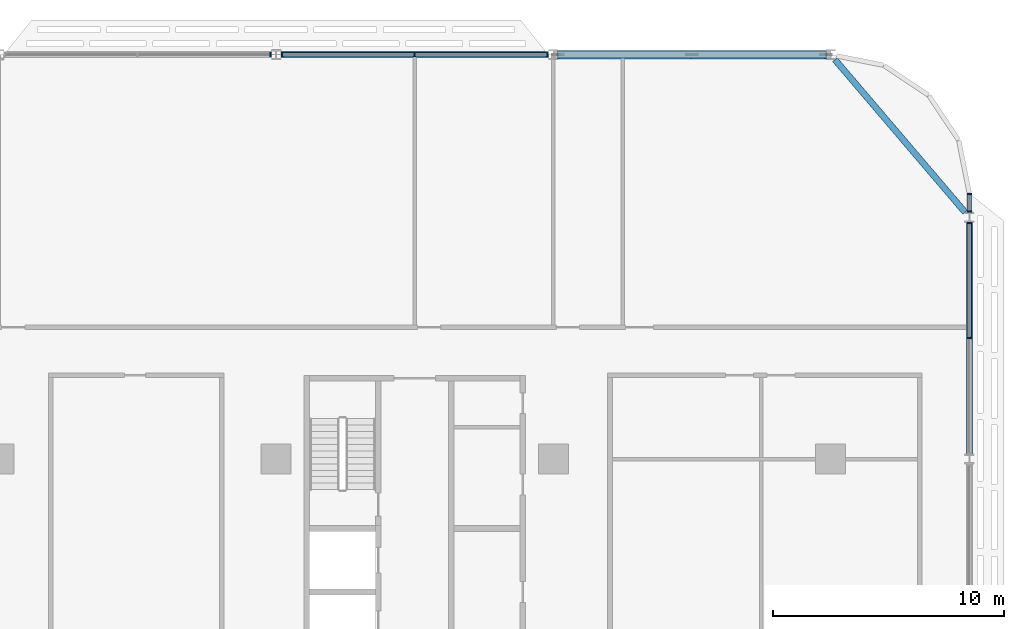
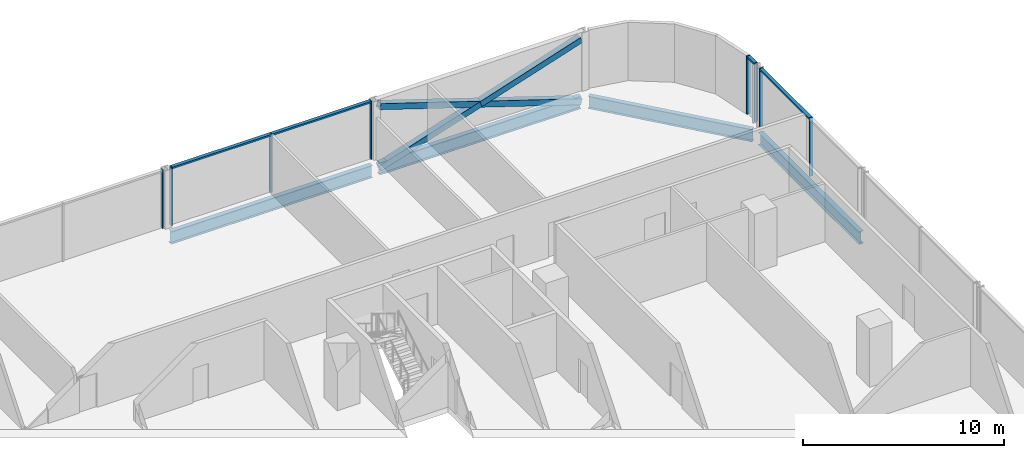
# One storey, part 10 of 29: 15 members, 4 beams, 4 elements without a shape of their own.
"""IFC4 building model written with IfcOpenShell, lengths in metres."""

from ifc_helpers import new_model, si_unit, direction, frame, origin, origin_2d, place, context, subcontext, project, spatial, rectangle, hollow_rectangle, i_section, extrude, material, material_profile, profile_set, type_object, element, aggregate, save


model = new_model("IFC4")

# Units and contexts
model_context = context("Model", 3, precision=1e-05, world=origin(), true_north=direction((0.0, 1.0)))
body_context = subcontext(model_context, "Body", "Model", "MODEL_VIEW")
ifc_project = project(units=[si_unit("LENGTHUNIT", "METRE"), si_unit("AREAUNIT", "SQUARE_METRE"), si_unit("VOLUMEUNIT", "CUBIC_METRE"), si_unit("PLANEANGLEUNIT", "RADIAN"), si_unit("MASSUNIT", "GRAM", prefix="KILO")], contexts=[model_context])

# Site, building, storey
site_placement = place(None, origin())
site = spatial("IfcSite", under=ifc_project, at=site_placement, CompositionType="ELEMENT")
building_placement = place(site_placement, origin())
building = spatial("IfcBuilding", under=site, at=building_placement, Name="Mahtab Terrace Research Tower", CompositionType="ELEMENT")
storey_placement = place(building_placement, frame((0.0, 0.0, 150.699951171875)))
storey = spatial("IfcBuildingStorey", under=building, at=storey_placement, Name="L35", CompositionType="ELEMENT", Elevation=150.699951171875)

# Members
ifc_material_1 = material(Name="Steel ASTM A500 Gr C", Category="steel")
ifc_material_profile_1 = material_profile(ifc_material_1, hollow_rectangle(XDim=0.355712890625, YDim=0.355712890625, WallThickness=0.01904296875, at=origin_2d()), Name="HSS14X14X3/4")
ifc_profile_set_1 = profile_set([ifc_material_profile_1], Name="Steel ASTM A500 Gr C")
member_type_1 = type_object("IfcMemberType", Name="HSS 14x14x3/4 brace XB141434", PredefinedType="BRACE", material=ifc_profile_set_1)
member_1_placement = place(storey_placement, frame((41.794189453125, 29.0, -0.651611328125), z_axis=(-0.951266203011, 0.0, 0.308370898448), x_axis=(0.0, -1.0, 0.0)))
element("IfcMember", 1, at=member_1_placement, inside=storey, type_object=member_type_1, Name="Exoskeleton brace L35 01 a", PredefinedType="BRACE", context=body_context, shape_type="SweptSolid", body=[
    extrude(hollow_rectangle(XDim=0.355712890625, YDim=0.355712890625, WallThickness=0.01904296875, at=origin_2d()), origin(), (0.0, 0.0, 1.0), 12.18212890625),
])
for number, where, z_axis, x_axis, name in (
    (2, (30.205810546875, 29.0, -0.651611328125), (0.951272081758, 0.0, 0.308352763029), (0.0, 1.0, 0.0), "Exoskeleton brace L35 01 b1"),
    (3, (36.0, 29.0, 1.2265625), (0.95126032399, 0.0, 0.308389033531), (0.0, 1.0, 0.0), "Exoskeleton brace L35 01 b2"),
):
    element("IfcMember", number, at=place(storey_placement, frame(where, z_axis=z_axis, x_axis=x_axis)), inside=storey, type_object=member_type_1, Name=name, PredefinedType="BRACE", context=body_context, shape_type="SweptSolid", body=[
        extrude(hollow_rectangle(XDim=0.355712890625, YDim=0.355712890625, WallThickness=0.01904296875, at=origin_2d()), origin(), (0.0, 0.0, 1.0), 6.091064453125),
    ])

# Curtain wall, members
ifc_material_2 = material(Name="Laboratory ribbon curtain wall")
curtain_wall_type = type_object("IfcCurtainWallType", Name="Laboratory ribbon curtain wall", PredefinedType="NOTDEFINED", material=ifc_material_2)
curtain_wall_1_placement = place(storey_placement, origin())
curtain_wall_1 = element("IfcCurtainWall", 4, at=curtain_wall_1_placement, inside=storey, type_object=curtain_wall_type, Name="EN.L35.3.4", PredefinedType="NOTDEFINED")
ifc_material_3 = material(Name="Natural anodised aluminium", Category="aluminium")
ifc_material_profile_2 = material_profile(ifc_material_3, rectangle(XDim=0.199951171875, YDim=0.06494140625, at=origin_2d()), Name="MULLION 65x200")
ifc_profile_set_2 = profile_set([ifc_material_profile_2], Name="Natural anodised aluminium")
member_type_2 = type_object("IfcMemberType", Name="Laboratory ribbon curtain wall mullion", PredefinedType="MULLION", material=ifc_profile_set_2)
member_2_placement = place(storey_placement, frame((29.74951171875, 29.0, 0.0), z_axis=(0.0, 0.0, 1.0), x_axis=(0.0, -1.0, 0.0)))
member_2 = element("IfcMember", 5, at=member_2_placement, type_object=member_type_2, Name="CWL-4 mullion 1", PredefinedType="MULLION", context=body_context, shape_type="SweptSolid", body=[
    extrude(rectangle(XDim=0.199951171875, YDim=0.06494140625, at=origin_2d()), origin(), (0.0, 0.0, 1.0), 3.550048828125),
])
member_3_placement = place(storey_placement, frame((24.0, 29.0, 0.0), z_axis=(0.0, 0.0, 1.0), x_axis=(0.0, -1.0, 0.0)))
member_3 = element("IfcMember", 6, at=member_3_placement, type_object=member_type_2, Name="CWL-4 mullion 2", PredefinedType="MULLION", context=body_context, shape_type="SweptSolid", body=[
    extrude(rectangle(XDim=0.199951171875, YDim=0.06494140625, at=origin_2d()), origin(), (0.0, 0.0, 1.0), 3.550048828125),
])
member_4_placement = place(storey_placement, frame((18.25048828125, 29.0, 0.0), z_axis=(0.0, 0.0, 1.0), x_axis=(0.0, -1.0, 0.0)))
member_4 = element("IfcMember", 7, at=member_4_placement, type_object=member_type_2, Name="CWL-4 mullion 3", PredefinedType="MULLION", context=body_context, shape_type="SweptSolid", body=[
    extrude(rectangle(XDim=0.199951171875, YDim=0.06494140625, at=origin_2d()), origin(), (0.0, 0.0, 1.0), 3.550048828125),
])

# Curtain wall, member
curtain_wall_2_placement = place(storey_placement, origin())
curtain_wall_2 = element("IfcCurtainWall", 8, at=curtain_wall_2_placement, inside=storey, type_object=curtain_wall_type, Name="EN.L35.3.5", PredefinedType="NOTDEFINED")
member_5_placement = place(storey_placement, frame((17.74951171875, 29.0, 0.0), z_axis=(0.0, 0.0, 1.0), x_axis=(0.0, -1.0, 0.0)))
member_5 = element("IfcMember", 9, at=member_5_placement, type_object=member_type_2, Name="CWL-4 mullion 1", PredefinedType="MULLION", context=body_context, shape_type="SweptSolid", body=[
    extrude(rectangle(XDim=0.199951171875, YDim=0.06494140625, at=origin_2d()), origin(), (0.0, 0.0, 1.0), 3.550048828125),
])
aggregate(curtain_wall_2, [member_5])

# Curtain wall, members
curtain_wall_3_placement = place(storey_placement, origin())
curtain_wall_3 = element("IfcCurtainWall", 10, at=curtain_wall_3_placement, inside=storey, type_object=curtain_wall_type, Name="EN.L35.18.38", PredefinedType="NOTDEFINED")
member_6_placement = place(storey_placement, frame((48.0, 16.73095703125, 0.0), z_axis=(0.0, 0.0, 1.0), x_axis=(-1.0, 0.0, 0.0)))
member_6 = element("IfcMember", 11, at=member_6_placement, type_object=member_type_2, Name="CWL-4 mullion 2", PredefinedType="MULLION", context=body_context, shape_type="SweptSolid", body=[
    extrude(rectangle(XDim=0.199951171875, YDim=0.06494140625, at=origin_2d()), origin(), (0.0, 0.0, 1.0), 3.550048828125),
])
member_7_placement = place(storey_placement, frame((48.0, 21.71142578125, 0.0), z_axis=(0.0, 0.0, 1.0), x_axis=(-1.0, 0.0, 0.0)))
member_7 = element("IfcMember", 12, at=member_7_placement, type_object=member_type_2, Name="CWL-4 mullion 3", PredefinedType="MULLION", context=body_context, shape_type="SweptSolid", body=[
    extrude(rectangle(XDim=0.199951171875, YDim=0.06494140625, at=origin_2d()), origin(), (0.0, 0.0, 1.0), 3.550048828125),
])

curtain_wall_4_placement = place(storey_placement, origin())
curtain_wall_4 = element("IfcCurtainWall", 13, at=curtain_wall_4_placement, inside=storey, type_object=curtain_wall_type, Name="EN.L35.18.39", PredefinedType="NOTDEFINED")
member_8_placement = place(storey_placement, frame((48.0, 22.21240234375, 0.0), z_axis=(0.0, 0.0, 1.0), x_axis=(-1.0, 0.0, 0.0)))
member_8 = element("IfcMember", 14, at=member_8_placement, type_object=member_type_2, Name="CWL-4 mullion 1", PredefinedType="MULLION", context=body_context, shape_type="SweptSolid", body=[
    extrude(rectangle(XDim=0.199951171875, YDim=0.06494140625, at=origin_2d()), origin(), (0.0, 0.0, 1.0), 3.550048828125),
])
member_9_placement = place(storey_placement, frame((48.0, 22.967529296875, 0.0), z_axis=(0.0, 0.0, 1.0), x_axis=(-1.0, 0.0, 0.0)))
member_9 = element("IfcMember", 15, at=member_9_placement, type_object=member_type_2, Name="CWL-4 mullion 2", PredefinedType="MULLION", context=body_context, shape_type="SweptSolid", body=[
    extrude(rectangle(XDim=0.199951171875, YDim=0.06494140625, at=origin_2d()), origin(), (0.0, 0.0, 1.0), 3.550048828125),
])

# Member
ifc_material_profile_3 = material_profile(ifc_material_3, rectangle(XDim=0.199951171875, YDim=0.10009765625, at=origin_2d()), Name="TRANSOM 100x200")
ifc_profile_set_3 = profile_set([ifc_material_profile_3], Name="Natural anodised aluminium")
member_type_3 = type_object("IfcMemberType", Name="Laboratory ribbon curtain wall transom", PredefinedType="USERDEFINED", material=ifc_profile_set_3)
member_10_placement = place(storey_placement, frame((29.717041015625, 29.0, 3.5), z_axis=(-1.0, 0.0, 0.0), x_axis=(0.0, -1.0, 0.0)))
member_10 = element("IfcMember", 16, at=member_10_placement, type_object=member_type_3, Name="CWL-4 transom 1", ObjectType="TRANSOM", PredefinedType="USERDEFINED", context=body_context, shape_type="SweptSolid", body=[
    extrude(rectangle(XDim=0.199951171875, YDim=0.10009765625, at=origin_2d()), origin(), (0.0, 0.0, 1.0), 5.6845703125),
])

member_11_placement = place(storey_placement, frame((23.967529296875, 29.0, 3.5), z_axis=(-1.0, 0.0, 0.0), x_axis=(0.0, -1.0, 0.0)))
member_11 = element("IfcMember", 17, at=member_11_placement, type_object=member_type_3, Name="CWL-4 transom 2", ObjectType="TRANSOM", PredefinedType="USERDEFINED", context=body_context, shape_type="SweptSolid", body=[
    extrude(rectangle(XDim=0.199951171875, YDim=0.10009765625, at=origin_2d()), origin(), (0.0, 0.0, 1.0), 5.6845703125),
])

aggregate(curtain_wall_1, [member_2, member_3, member_4, member_10, member_11])

member_12_placement = place(storey_placement, frame((48.0, 16.763427734375, 3.5), z_axis=(0.0, 1.0, 0.0), x_axis=(-1.0, 0.0, 0.0)))
member_12 = element("IfcMember", 18, at=member_12_placement, type_object=member_type_3, Name="CWL-4 transom 2", ObjectType="TRANSOM", PredefinedType="USERDEFINED", context=body_context, shape_type="SweptSolid", body=[
    extrude(rectangle(XDim=0.199951171875, YDim=0.10009765625, at=origin_2d()), origin(), (0.0, 0.0, 1.0), 4.91552734375),
])

aggregate(curtain_wall_3, [member_6, member_7, member_12])

member_13_placement = place(storey_placement, frame((48.0, 22.2451171875, 3.5), z_axis=(0.0, 1.0, 0.0), x_axis=(-1.0, 0.0, 0.0)))
member_13 = element("IfcMember", 19, at=member_13_placement, type_object=member_type_3, Name="CWL-4 transom 1", ObjectType="TRANSOM", PredefinedType="USERDEFINED", context=body_context, shape_type="SweptSolid", body=[
    extrude(rectangle(XDim=0.199951171875, YDim=0.10009765625, at=origin_2d()), origin(), (0.0, 0.0, 1.0), 0.68994140625),
])

aggregate(curtain_wall_4, [member_8, member_9, member_13])

# Beams
ifc_material_4 = material(Name="Steel ASTM A992 Gr 50", Category="steel")
ifc_material_profile_4 = material_profile(ifc_material_4, i_section(OverallWidth=0.2666015625, OverallDepth=0.7568359375, WebThickness=0.013916015625, FlangeThickness=0.019287109375, at=origin_2d()), Name="W30X108")
ifc_profile_set_4 = profile_set([ifc_material_profile_4], Name="Steel ASTM A992 Gr 50")
beam_type = type_object("IfcBeamType", Name="W30x108 beam BS30108", PredefinedType="BEAM", material=ifc_profile_set_4)
for number, where, z_axis, x_axis, name in (
    (20, (41.794189453125, 29.0, -0.718505859375), (-1.0, 0.0, 0.0), (0.0, -1.0, 0.0), "Spandrel beam L35 01"),
    (21, (29.794189453125, 29.0, -0.718505859375), (-1.0, 0.0, 0.0), (0.0, -1.0, 0.0), "Spandrel beam L35 02"),
):
    element("IfcBeam", number, at=place(storey_placement, frame(where, z_axis=z_axis, x_axis=x_axis)), inside=storey, type_object=beam_type, Name=name, PredefinedType="BEAM", context=body_context, shape_type="SweptSolid", body=[
        extrude(i_section(OverallWidth=0.2666015625, OverallDepth=0.7568359375, WebThickness=0.013916015625, FlangeThickness=0.019287109375, at=origin_2d()), origin(), (0.0, 0.0, 1.0), 11.58837890625),
    ])
beam_1_placement = place(storey_placement, frame((48.0, 11.717041015625, -0.718505859375), z_axis=(0.0, 1.0, 0.0), x_axis=(-1.0, 0.0, 0.0)))
element("IfcBeam", 22, at=beam_1_placement, inside=storey, type_object=beam_type, Name="Spandrel beam L35 24", PredefinedType="BEAM", context=body_context, shape_type="SweptSolid", body=[
    extrude(i_section(OverallWidth=0.2666015625, OverallDepth=0.7568359375, WebThickness=0.013916015625, FlangeThickness=0.019287109375, at=origin_2d()), origin(), (0.0, 0.0, 1.0), 10.02783203125),
])
beam_2_placement = place(storey_placement, frame((47.81494140625, 22.17919921875, -0.718505859375), z_axis=(-0.648764091423, 0.760989588417, 0.0), x_axis=(-0.760989588417, -0.648764091423, 0.0)))
element("IfcBeam", 23, at=beam_2_placement, inside=storey, type_object=beam_type, Name="Spandrel beam L35 25", PredefinedType="BEAM", context=body_context, shape_type="SweptSolid", body=[
    extrude(i_section(OverallWidth=0.2666015625, OverallDepth=0.7568359375, WebThickness=0.013916015625, FlangeThickness=0.019287109375, at=origin_2d()), origin(), (0.0, 0.0, 1.0), 8.677978515625),
])

save(model, "model.ifc")
